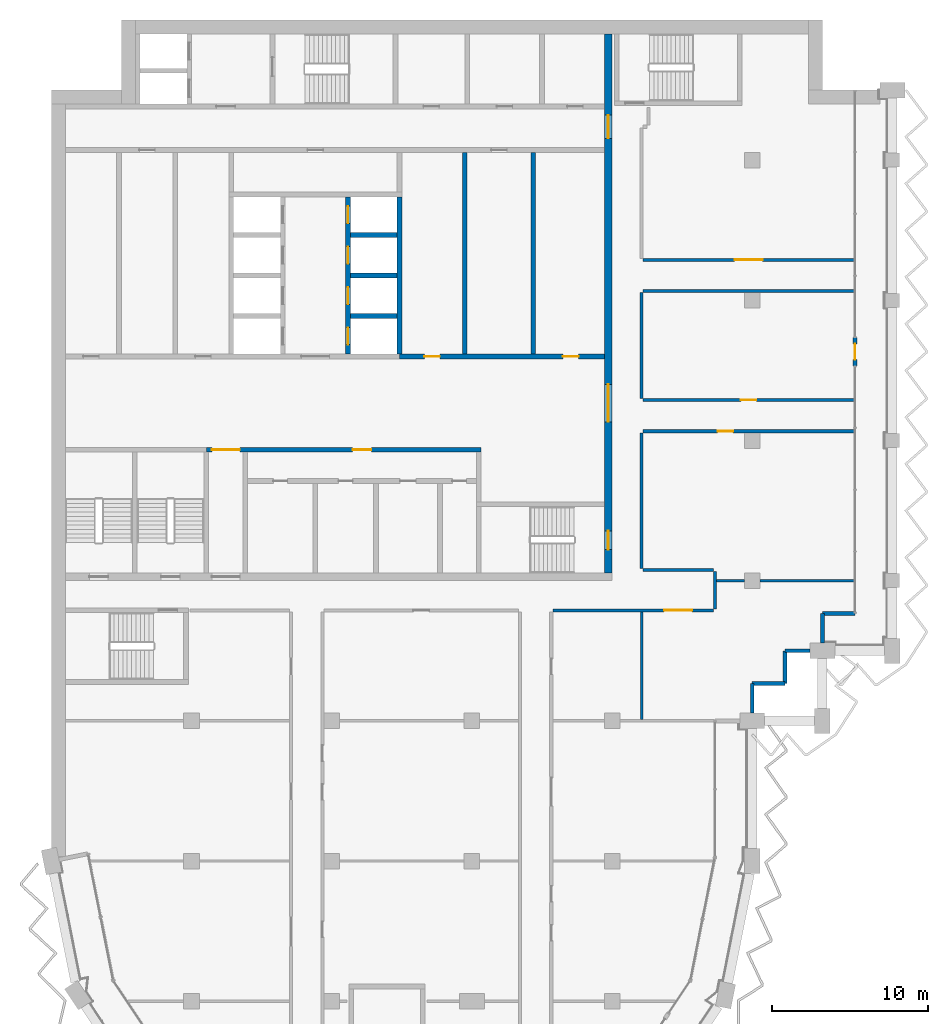
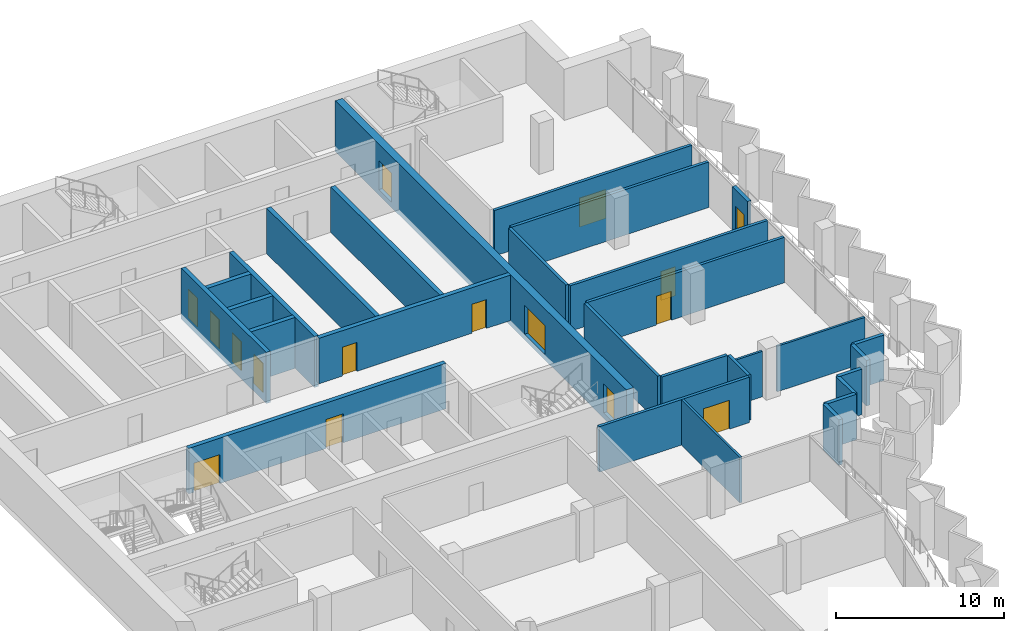
# One storey, part 9 of 16: 29 walls, 16 doors, 16 openings.
"""IFC4 building model written with IfcOpenShell, lengths in metres."""

from ifc_helpers import new_model, si_unit, direction, frame, frame_2d, origin, place, context, subcontext, project, spatial, rectangle, extrude, material, layer, layer_set, type_object, element, fill, save


model = new_model("IFC4")

# Units and contexts
model_context = context("Model", 3, precision=1e-05, world=origin(), true_north=direction((0.0, 1.0)))
body_context = subcontext(model_context, "Body", "Model", "MODEL_VIEW")
ifc_project = project(units=[si_unit("LENGTHUNIT", "METRE"), si_unit("AREAUNIT", "SQUARE_METRE"), si_unit("VOLUMEUNIT", "CUBIC_METRE"), si_unit("PLANEANGLEUNIT", "RADIAN"), si_unit("MASSUNIT", "GRAM", prefix="KILO")], contexts=[model_context])

# Site, building, storey
site_placement = place(None, origin())
site = spatial("IfcSite", under=ifc_project, at=site_placement, CompositionType="ELEMENT")
building_placement = place(site_placement, origin())
building = spatial("IfcBuilding", under=site, at=building_placement, Name="Hunhe Ridgeline Campus", CompositionType="ELEMENT")
storey_placement = place(building_placement, frame((0.0, 0.0, 246.60009765625)))
storey = spatial("IfcBuildingStorey", under=building, at=storey_placement, Name="L63", CompositionType="ELEMENT", Elevation=246.60009765625)

# Wall, openings, doors
ifc_material_1 = material(Name="Masonry concrete blockwork", Category="masonry")
ifc_layer_1 = layer(ifc_material_1, 0.300048828125)
ifc_layer_set_1 = layer_set([ifc_layer_1], Name="Core room partition 300 concrete block")
wall_type_1 = type_object("IfcWallType", Name="Core room partition 300 concrete block", PredefinedType="PARTITIONING", material=ifc_layer_set_1)
wall_1_placement = place(storey_placement, frame((9.949951171875, 71.39990234375, 0.0), z_axis=(0.0, 0.0, 1.0), x_axis=(1.0, 0.0, 0.0)))
wall_1 = element("IfcWall", 1, at=wall_1_placement, inside=storey, type_object=wall_type_1, Name="L63 core partition 9", PredefinedType="PARTITIONING", context=body_context, shape_type="SweptSolid", body=[
    extrude(rectangle(XDim=17.650146484375, YDim=0.300048828125, at=frame_2d((8.8251953125, 0.0))), origin(), (0.0, 0.0, 1.0), 3.2998046875),
])
opening_1_placement = place(wall_1_placement, frame((0.35009765625, 0.0, 0.0)))
opening_1 = element("IfcOpeningElement", 2, at=opening_1_placement, cuts=wall_1, Name="Opening CD7", PredefinedType="OPENING", context=body_context, shape_type="SweptSolid", body=[
    extrude(rectangle(XDim=1.800048828125, YDim=2.10009765625, at=frame_2d((0.89990234375, 1.050048828125))), frame((0.0, 0.14990234375, 0.0), z_axis=(0.0, -1.0, 0.0), x_axis=(1.0, 0.0, 0.0)), (0.0, 0.0, 1.0), 0.300048828125),
])
opening_2_placement = place(wall_1_placement, frame((9.39990234375, 0.0, 0.0)))
opening_2 = element("IfcOpeningElement", 3, at=opening_2_placement, cuts=wall_1, Name="Opening CD12", PredefinedType="OPENING", context=body_context, shape_type="SweptSolid", body=[
    extrude(rectangle(XDim=1.199951171875, YDim=2.10009765625, at=frame_2d((0.60009765625, 1.050048828125))), frame((0.0, 0.14990234375, 0.0), z_axis=(0.0, -1.0, 0.0), x_axis=(1.0, 0.0, 0.0)), (0.0, 0.0, 1.0), 0.300048828125),
])
ifc_material_2 = material(Name="Anodised aluminium and glass", Category="aluminium")
door_type_1 = type_object("IfcDoorType", Name="Glazed double door 1800x2100", OperationType="DOUBLE_DOOR_SINGLE_SWING", PredefinedType="DOOR", material=ifc_material_2)
door_1_placement = place(opening_1_placement, origin())
door_1 = element("IfcDoor", 4, at=door_1_placement, inside=storey, type_object=door_type_1, Name="L63 door VEST-HALL", OperationType="DOUBLE_DOOR_SINGLE_SWING", OverallHeight=2.10009765625, OverallWidth=1.800048828125, PredefinedType="DOOR", context=body_context, shape_type="SweptSolid", body=[
    extrude(rectangle(XDim=1.800048828125, YDim=2.10009765625, at=frame_2d((0.89990234375, 1.050048828125))), frame((0.0, 0.02490234375, 0.0), z_axis=(0.0, -1.0, 0.0), x_axis=(1.0, 0.0, 0.0)), (0.0, 0.0, 1.0), 0.050048828125),
])
fill(opening_1, door_1)
ifc_material_3 = material(Name="Solid core timber door leaf", Category="wood")
door_type_2 = type_object("IfcDoorType", Name="Timber door 1200x2100", OperationType="SINGLE_SWING_LEFT", PredefinedType="DOOR", material=ifc_material_3)
door_2_placement = place(opening_2_placement, origin())
door_2 = element("IfcDoor", 5, at=door_2_placement, inside=storey, type_object=door_type_2, Name="L63 door WCL2-HALL", OperationType="SINGLE_SWING_RIGHT", OverallHeight=2.10009765625, OverallWidth=1.199951171875, PredefinedType="DOOR", context=body_context, shape_type="SweptSolid", body=[
    extrude(rectangle(XDim=1.199951171875, YDim=2.10009765625, at=frame_2d((0.60009765625, 1.050048828125))), frame((0.0, 0.02490234375, 0.0), z_axis=(0.0, -1.0, 0.0), x_axis=(1.0, 0.0, 0.0)), (0.0, 0.0, 1.0), 0.050048828125),
])
fill(opening_2, door_2)

wall_2_placement = place(storey_placement, frame((22.35009765625, 77.39990234375, 0.0), z_axis=(0.0, 0.0, 1.0), x_axis=(1.0, 0.0, 0.0)))
wall_2 = element("IfcWall", 6, at=wall_2_placement, inside=storey, type_object=wall_type_1, Name="L63 core partition 11", PredefinedType="PARTITIONING", context=body_context, shape_type="SweptSolid", body=[
    extrude(rectangle(XDim=13.14990234375, YDim=0.300048828125, at=frame_2d((6.574951171875, 0.0))), origin(), (0.0, 0.0, 1.0), 3.2998046875),
])
opening_3_placement = place(wall_2_placement, frame((1.60009765625, 0.0, 0.0)))
opening_3 = element("IfcOpeningElement", 7, at=opening_3_placement, cuts=wall_2, Name="Opening CD32", PredefinedType="OPENING", context=body_context, shape_type="SweptSolid", body=[
    extrude(rectangle(XDim=1.0, YDim=2.10009765625, at=frame_2d((0.5, 1.050048828125))), frame((0.0, 0.14990234375, 0.0), z_axis=(0.0, -1.0, 0.0), x_axis=(1.0, 0.0, 0.0)), (0.0, 0.0, 1.0), 0.300048828125),
])
opening_4_placement = place(wall_2_placement, frame((10.5, 0.0, 0.0)))
opening_4 = element("IfcOpeningElement", 8, at=opening_4_placement, cuts=wall_2, Name="Opening CD42", PredefinedType="OPENING", context=body_context, shape_type="SweptSolid", body=[
    extrude(rectangle(XDim=1.0, YDim=2.10009765625, at=frame_2d((0.5, 1.050048828125))), frame((0.0, 0.14990234375, 0.0), z_axis=(0.0, -1.0, 0.0), x_axis=(1.0, 0.0, 0.0)), (0.0, 0.0, 1.0), 0.300048828125),
])
door_type_3 = type_object("IfcDoorType", Name="Timber door 1000x2100", OperationType="SINGLE_SWING_LEFT", PredefinedType="DOOR", material=ifc_material_3)
door_3_placement = place(opening_3_placement, origin())
door_3 = element("IfcDoor", 9, at=door_3_placement, inside=storey, type_object=door_type_3, Name="L63 door ES0", OperationType="SINGLE_SWING_RIGHT", OverallHeight=2.10009765625, OverallWidth=1.0, PredefinedType="DOOR", context=body_context, shape_type="SweptSolid", body=[
    extrude(rectangle(XDim=1.0, YDim=2.10009765625, at=frame_2d((0.5, 1.050048828125))), frame((0.0, 0.02490234375, 0.0), z_axis=(0.0, -1.0, 0.0), x_axis=(1.0, 0.0, 0.0)), (0.0, 0.0, 1.0), 0.050048828125),
])
fill(opening_3, door_3)
door_4_placement = place(opening_4_placement, origin())
door_4 = element("IfcDoor", 10, at=door_4_placement, inside=storey, type_object=door_type_3, Name="L63 door ES2", OperationType="SINGLE_SWING_RIGHT", OverallHeight=2.10009765625, OverallWidth=1.0, PredefinedType="DOOR", context=body_context, shape_type="SweptSolid", body=[
    extrude(rectangle(XDim=1.0, YDim=2.10009765625, at=frame_2d((0.5, 1.050048828125))), frame((0.0, 0.02490234375, 0.0), z_axis=(0.0, -1.0, 0.0), x_axis=(1.0, 0.0, 0.0)), (0.0, 0.0, 1.0), 0.050048828125),
])
fill(opening_4, door_4)

# Walls
for number, where, z_axis, x_axis, name in (
    (11, (26.550048828125, 77.550048828125, 0.0), (0.0, 0.0, 1.0), (0.0, 1.0, 0.0), "L63 core partition 44"),
    (12, (30.949951171875, 77.550048828125, 0.0), (0.0, 0.0, 1.0), (0.0, 1.0, 0.0), "L63 core partition 48"),
):
    element("IfcWall", number, at=place(storey_placement, frame(where, z_axis=z_axis, x_axis=x_axis)), inside=storey, type_object=wall_type_1, Name=name, PredefinedType="PARTITIONING", context=body_context, shape_type="SweptSolid", body=[
        extrude(rectangle(XDim=12.949951171875, YDim=0.300048828125, at=frame_2d((6.47509765625, 0.0))), origin(), (0.0, 0.0, 1.0), 3.2998046875),
    ])

# Wall, openings, doors
ifc_material_4 = material(Name="Concrete C50", Category="concrete")
ifc_layer_2 = layer(ifc_material_4, 0.5)
ifc_layer_set_2 = layer_set([ifc_layer_2], Name="Core wall 500 reinforced concrete C50")
wall_type_2 = type_object("IfcWallType", Name="Core wall 500 reinforced concrete C50", PredefinedType="SOLIDWALL", material=ifc_layer_set_2)
wall_3_placement = place(storey_placement, frame((35.75, 63.5, -0.400146484375), z_axis=(0.0, 0.0, 1.0), x_axis=(0.0, 1.0, 0.0)))
wall_3 = element("IfcWall", 13, at=wall_3_placement, inside=storey, type_object=wall_type_2, Name="L63 core wall 50", PredefinedType="SOLIDWALL", context=body_context, shape_type="SweptSolid", body=[
    extrude(rectangle(XDim=34.60009765625, YDim=0.5, at=frame_2d((17.300048828125, 0.0))), origin(), (0.0, 0.0, 1.0), 3.699951171875),
])
opening_5_placement = place(wall_3_placement, frame((9.699951171875, 0.0, 0.39990234375)))
opening_5 = element("IfcOpeningElement", 14, at=opening_5_placement, cuts=wall_3, Name="Opening CD4", PredefinedType="OPENING", context=body_context, shape_type="SweptSolid", body=[
    extrude(rectangle(XDim=2.39990234375, YDim=2.10009765625, at=frame_2d((1.199951171875, 1.050048828125))), frame((0.0, 0.25, 0.0), z_axis=(0.0, -1.0, 0.0), x_axis=(1.0, 0.0, 0.0)), (0.0, 0.0, 1.0), 0.5),
])
opening_6_placement = place(wall_3_placement, frame((27.89990234375, 0.0, 0.39990234375)))
opening_6 = element("IfcOpeningElement", 15, at=opening_6_placement, cuts=wall_3, Name="Opening CD5", PredefinedType="OPENING", context=body_context, shape_type="SweptSolid", body=[
    extrude(rectangle(XDim=1.5, YDim=2.10009765625, at=frame_2d((0.75, 1.050048828125))), frame((0.0, 0.25, 0.0), z_axis=(0.0, -1.0, 0.0), x_axis=(1.0, 0.0, 0.0)), (0.0, 0.0, 1.0), 0.5),
])
opening_7_placement = place(wall_3_placement, frame((1.5, 0.0, 0.39990234375)))
opening_7 = element("IfcOpeningElement", 16, at=opening_7_placement, cuts=wall_3, Name="Opening CD15", PredefinedType="OPENING", context=body_context, shape_type="SweptSolid", body=[
    extrude(rectangle(XDim=1.199951171875, YDim=2.10009765625, at=frame_2d((0.60009765625, 1.050048828125))), frame((0.0, 0.25, 0.0), z_axis=(0.0, -1.0, 0.0), x_axis=(1.0, 0.0, 0.0)), (0.0, 0.0, 1.0), 0.5),
])
door_type_4 = type_object("IfcDoorType", Name="Glazed double door 2400x2100", OperationType="DOUBLE_DOOR_SINGLE_SWING", PredefinedType="DOOR", material=ifc_material_2)
door_5_placement = place(opening_5_placement, frame((2.39990234375, 0.0, 0.0), z_axis=(0.0, 0.0, 1.0), x_axis=(-1.0, 0.0, 0.0)))
door_5 = element("IfcDoor", 17, at=door_5_placement, inside=storey, type_object=door_type_4, Name="L63 door HALL-FLOOR", OperationType="DOUBLE_DOOR_SINGLE_SWING", OverallHeight=2.10009765625, OverallWidth=2.39990234375, PredefinedType="DOOR", context=body_context, shape_type="SweptSolid", body=[
    extrude(rectangle(XDim=2.39990234375, YDim=2.10009765625, at=frame_2d((1.199951171875, 1.050048828125))), frame((0.0, 0.02490234375, 0.0), z_axis=(0.0, -1.0, 0.0), x_axis=(1.0, 0.0, 0.0)), (0.0, 0.0, 1.0), 0.050048828125),
])
fill(opening_5, door_5)
ifc_material_5 = material(Name="Hollow metal fire door leaf")
door_type_5 = type_object("IfcDoorType", Name="Stair door 1200x2100 FD60", OperationType="SINGLE_SWING_LEFT", PredefinedType="DOOR", material=ifc_material_5)
door_6_placement = place(opening_7_placement, frame((1.199951171875, 0.0, 0.0), z_axis=(0.0, 0.0, 1.0), x_axis=(-1.0, 0.0, 0.0)))
door_6 = element("IfcDoor", 18, at=door_6_placement, inside=storey, type_object=door_type_5, Name="L63 door S2-FLOOR", OperationType="SINGLE_SWING_LEFT", OverallHeight=2.10009765625, OverallWidth=1.199951171875, PredefinedType="DOOR", context=body_context, shape_type="SweptSolid", body=[
    extrude(rectangle(XDim=1.199951171875, YDim=2.10009765625, at=frame_2d((0.60009765625, 1.050048828125))), frame((0.0, 0.02490234375, 0.0), z_axis=(0.0, -1.0, 0.0), x_axis=(1.0, 0.0, 0.0)), (0.0, 0.0, 1.0), 0.050048828125),
])
fill(opening_7, door_6)
door_type_6 = type_object("IfcDoorType", Name="Timber door 1500x2100", OperationType="SINGLE_SWING_LEFT", PredefinedType="DOOR", material=ifc_material_3)
door_7_placement = place(opening_6_placement, frame((1.5, 0.0, 0.0), z_axis=(0.0, 0.0, 1.0), x_axis=(-1.0, 0.0, 0.0)))
door_7 = element("IfcDoor", 19, at=door_7_placement, inside=storey, type_object=door_type_6, Name="L63 door C1-FLOOR", OperationType="SINGLE_SWING_LEFT", OverallHeight=2.10009765625, OverallWidth=1.5, PredefinedType="DOOR", context=body_context, shape_type="SweptSolid", body=[
    extrude(rectangle(XDim=1.5, YDim=2.10009765625, at=frame_2d((0.75, 1.050048828125))), frame((0.0, 0.02490234375, 0.0), z_axis=(0.0, -1.0, 0.0), x_axis=(1.0, 0.0, 0.0)), (0.0, 0.0, 1.0), 0.050048828125),
])
fill(opening_6, door_7)

# Walls
ifc_material_6 = material(Name="Concrete C30", Category="concrete")
ifc_layer_3 = layer(ifc_material_6, 0.25)
ifc_layer_set_3 = layer_set([ifc_layer_3], Name="Corner return wall 250 Concrete C30")
wall_type_3 = type_object("IfcWallType", Name="Corner return wall 250 Concrete C30", PredefinedType="SOLIDWALL", material=ifc_layer_set_3)
wall_4_placement = place(storey_placement, frame((44.9990234375, 54.5, 0.0), z_axis=(0.0, 0.0, 1.0), x_axis=(0.000128452151, 0.99999999175, 0.0)))
element("IfcWall", 20, at=wall_4_placement, inside=storey, type_object=wall_type_3, Name="Corner return wall 3", PredefinedType="SOLIDWALL", context=body_context, shape_type="SweptSolid", body=[
    extrude(rectangle(XDim=1.900634765625, YDim=0.25, at=frame_2d((0.9501953125, 0.0))), origin(), (0.0, 0.0, 1.0), 3.2998046875),
])
wall_5_placement = place(storey_placement, frame((44.999267578125, 56.400634765625, 0.0), z_axis=(0.0, 0.0, 1.0), x_axis=(0.999999993241, 0.00011626555, 0.0)))
element("IfcWall", 21, at=wall_5_placement, inside=storey, type_object=wall_type_3, Name="Corner return wall 4", PredefinedType="SOLIDWALL", context=body_context, shape_type="SweptSolid", body=[
    extrude(rectangle(XDim=2.099853515625, YDim=0.25, at=frame_2d((1.0498046875, 0.0))), origin(), (0.0, 0.0, 1.0), 3.2998046875),
])
wall_6_placement = place(storey_placement, frame((47.09912109375, 56.40087890625, 0.0), z_axis=(0.0, 0.0, 1.0), x_axis=(0.000232504063, 0.999999972971, 0.0)))
element("IfcWall", 22, at=wall_6_placement, inside=storey, type_object=wall_type_3, Name="Corner return wall 5", PredefinedType="SOLIDWALL", context=body_context, shape_type="SweptSolid", body=[
    extrude(rectangle(XDim=2.10009765625, YDim=0.25, at=frame_2d((1.050048828125, 0.0))), origin(), (0.0, 0.0, 1.0), 3.2998046875),
])
wall_7_placement = place(storey_placement, frame((47.099609375, 58.5009765625, 0.0), z_axis=(0.0, 0.0, 1.0), x_axis=(1.0, 0.0, 0.0)))
element("IfcWall", 23, at=wall_7_placement, inside=storey, type_object=wall_type_3, Name="Corner return wall 6", PredefinedType="SOLIDWALL", context=body_context, shape_type="SweptSolid", body=[
    extrude(rectangle(XDim=1.600341796875, YDim=0.25, at=frame_2d((0.80029296875, 0.0))), origin(), (0.0, 0.0, 1.0), 3.2998046875),
])
wall_8_placement = place(storey_placement, frame((49.4990234375, 59.0, 0.0), z_axis=(0.0, 0.0, 1.0), x_axis=(0.000256871299, 0.999999967009, 0.0)))
element("IfcWall", 24, at=wall_8_placement, inside=storey, type_object=wall_type_3, Name="Corner return wall 7", PredefinedType="SOLIDWALL", context=body_context, shape_type="SweptSolid", body=[
    extrude(rectangle(XDim=1.90087890625, YDim=0.25, at=frame_2d((0.950439453125, 0.0))), origin(), (0.0, 0.0, 1.0), 3.2998046875),
])
wall_9_placement = place(storey_placement, frame((49.49951171875, 60.90087890625, 0.0), z_axis=(0.0, 0.0, 1.0), x_axis=(1.0, 0.0, 0.0)))
element("IfcWall", 25, at=wall_9_placement, inside=storey, type_object=wall_type_3, Name="Corner return wall 8", PredefinedType="SOLIDWALL", context=body_context, shape_type="SweptSolid", body=[
    extrude(rectangle(XDim=2.099609375, YDim=0.25, at=frame_2d((1.0498046875, 0.0))), origin(), (0.0, 0.0, 1.0), 3.2998046875),
])

# Wall, opening, door
ifc_material_7 = material(Name="Gypsum board partition")
ifc_layer_4 = layer(ifc_material_7, 0.199951171875)
ifc_layer_set_4 = layer_set([ifc_layer_4], Name="Corridor partition 200 gypsum board on steel studs")
wall_type_4 = type_object("IfcWallType", Name="Corridor partition 200 gypsum board on steel studs", PredefinedType="PARTITIONING", material=ifc_layer_set_4)
wall_10_placement = place(storey_placement, frame((42.5, 61.10009765625, 0.0), z_axis=(0.0, 0.0, 1.0), x_axis=(-1.0, 0.0, 0.0)))
wall_10 = element("IfcWall", 26, at=wall_10_placement, inside=storey, type_object=wall_type_4, Name="F-L63-wall-024", PredefinedType="PARTITIONING", context=body_context, shape_type="SweptSolid", body=[
    extrude(rectangle(XDim=10.300048828125, YDim=0.199951171875, at=frame_2d((5.14990234375, 0.0))), origin(), (0.0, 0.0, 1.0), 3.2998046875),
])
opening_8_placement = place(wall_10_placement, frame((1.361083984375, 0.0, 0.0)))
opening_8 = element("IfcOpeningElement", 27, at=opening_8_placement, cuts=wall_10, Name="Opening RD2-016", PredefinedType="OPENING", context=body_context, shape_type="SweptSolid", body=[
    extrude(rectangle(XDim=1.800048828125, YDim=2.10009765625, at=frame_2d((0.89990234375, 1.050048828125))), frame((0.0, 0.10009765625, 0.0), z_axis=(0.0, -1.0, 0.0), x_axis=(1.0, 0.0, 0.0)), (0.0, 0.0, 1.0), 0.199951171875),
])
ifc_material_8 = material(Name="Timber door leaf", Category="wood")
door_type_7 = type_object("IfcDoorType", Name="Double fire door 1800x2100 timber FD60", OperationType="DOUBLE_DOOR_SINGLE_SWING", PredefinedType="DOOR", material=ifc_material_8)
door_8_placement = place(opening_8_placement, origin())
door_8 = element("IfcDoor", 28, at=door_8_placement, inside=storey, type_object=door_type_7, Name="F-L63-door-016", OperationType="DOUBLE_DOOR_SINGLE_SWING", OverallHeight=2.10009765625, OverallWidth=1.800048828125, PredefinedType="DOOR", context=body_context, shape_type="SweptSolid", body=[
    extrude(rectangle(XDim=1.800048828125, YDim=2.10009765625, at=frame_2d((0.89990234375, 1.050048828125))), frame((0.0, 0.02490234375, 0.0), z_axis=(0.0, -1.0, 0.0), x_axis=(1.0, 0.0, 0.0)), (0.0, 0.0, 1.0), 0.050048828125),
])
fill(opening_8, door_8)

# Wall
wall_11_placement = place(storey_placement, frame((38.0, 63.699951171875, 0.0), z_axis=(0.0, 0.0, 1.0), x_axis=(1.0, 0.0, 0.0)))
element("IfcWall", 29, at=wall_11_placement, inside=storey, type_object=wall_type_4, Name="F-L63-wall-027", PredefinedType="PARTITIONING", context=body_context, shape_type="SweptSolid", body=[
    extrude(rectangle(XDim=4.5, YDim=0.199951171875, at=frame_2d((2.25, 0.0))), origin(), (0.0, 0.0, 1.0), 3.2998046875),
])

# Wall, opening, door
wall_12_placement = place(storey_placement, frame((51.544921875, 72.60009765625, 0.0), z_axis=(0.0, 0.0, 1.0), x_axis=(-1.0, 0.0, 0.0)))
wall_12 = element("IfcWall", 30, at=wall_12_placement, inside=storey, type_object=wall_type_4, Name="F-L63-wall-028", PredefinedType="PARTITIONING", context=body_context, shape_type="SweptSolid", body=[
    extrude(rectangle(XDim=13.544921875, YDim=0.199951171875, at=frame_2d((6.7724609375, 0.0))), origin(), (0.0, 0.0, 1.0), 3.2998046875),
])
opening_9_placement = place(wall_12_placement, frame((7.7724609375, 0.0, 0.0)))
opening_9 = element("IfcOpeningElement", 31, at=opening_9_placement, cuts=wall_12, Name="Opening RD1-017", PredefinedType="OPENING", context=body_context, shape_type="SweptSolid", body=[
    extrude(rectangle(XDim=1.0, YDim=2.10009765625, at=frame_2d((0.5, 1.050048828125))), frame((0.0, 0.10009765625, 0.0), z_axis=(0.0, -1.0, 0.0), x_axis=(1.0, 0.0, 0.0)), (0.0, 0.0, 1.0), 0.199951171875),
])
door_type_8 = type_object("IfcDoorType", Name="Single fire door 1000x2100 timber FD60", OperationType="NOTDEFINED", PredefinedType="DOOR", material=ifc_material_8)
door_9_placement = place(opening_9_placement, origin())
door_9 = element("IfcDoor", 32, at=door_9_placement, inside=storey, type_object=door_type_8, Name="F-L63-door-017", OperationType="SINGLE_SWING_RIGHT", OverallHeight=2.10009765625, OverallWidth=1.0, PredefinedType="DOOR", context=body_context, shape_type="SweptSolid", body=[
    extrude(rectangle(XDim=1.0, YDim=2.10009765625, at=frame_2d((0.5, 1.050048828125))), frame((0.0, 0.02490234375, 0.0), z_axis=(0.0, -1.0, 0.0), x_axis=(1.0, 0.0, 0.0)), (0.0, 0.0, 1.0), 0.050048828125),
])
fill(opening_9, door_9)

wall_13_placement = place(storey_placement, frame((38.0, 74.60009765625, 0.0), z_axis=(0.0, 0.0, 1.0), x_axis=(1.0, 0.0, 0.0)))
wall_13 = element("IfcWall", 33, at=wall_13_placement, inside=storey, type_object=wall_type_4, Name="F-L63-wall-029", PredefinedType="PARTITIONING", context=body_context, shape_type="SweptSolid", body=[
    extrude(rectangle(XDim=13.544921875, YDim=0.199951171875, at=frame_2d((6.7724609375, 0.0))), origin(), (0.0, 0.0, 1.0), 3.2998046875),
])
opening_10_placement = place(wall_13_placement, frame((6.2724609375, 0.0, 0.0)))
opening_10 = element("IfcOpeningElement", 34, at=opening_10_placement, cuts=wall_13, Name="Opening RD1-018", PredefinedType="OPENING", context=body_context, shape_type="SweptSolid", body=[
    extrude(rectangle(XDim=1.0, YDim=2.10009765625, at=frame_2d((0.5, 1.050048828125))), frame((0.0, 0.10009765625, 0.0), z_axis=(0.0, -1.0, 0.0), x_axis=(1.0, 0.0, 0.0)), (0.0, 0.0, 1.0), 0.199951171875),
])
door_10_placement = place(opening_10_placement, origin())
door_10 = element("IfcDoor", 35, at=door_10_placement, inside=storey, type_object=door_type_8, Name="F-L63-door-018", OperationType="SINGLE_SWING_RIGHT", OverallHeight=2.10009765625, OverallWidth=1.0, PredefinedType="DOOR", context=body_context, shape_type="SweptSolid", body=[
    extrude(rectangle(XDim=1.0, YDim=2.10009765625, at=frame_2d((0.5, 1.050048828125))), frame((0.0, 0.02490234375, 0.0), z_axis=(0.0, -1.0, 0.0), x_axis=(1.0, 0.0, 0.0)), (0.0, 0.0, 1.0), 0.050048828125),
])
fill(opening_10, door_10)

# Wall
wall_14_placement = place(storey_placement, frame((51.544921875, 81.60009765625, 0.0), z_axis=(0.0, 0.0, 1.0), x_axis=(-1.0, 0.0, 0.0)))
element("IfcWall", 36, at=wall_14_placement, inside=storey, type_object=wall_type_4, Name="F-L63-wall-030", PredefinedType="PARTITIONING", context=body_context, shape_type="SweptSolid", body=[
    extrude(rectangle(XDim=13.544921875, YDim=0.199951171875, at=frame_2d((6.7724609375, 0.0))), origin(), (0.0, 0.0, 1.0), 3.2998046875),
])

# Wall, opening, door
wall_15_placement = place(storey_placement, frame((38.0, 83.60009765625, 0.0), z_axis=(0.0, 0.0, 1.0), x_axis=(1.0, 0.0, 0.0)))
wall_15 = element("IfcWall", 37, at=wall_15_placement, inside=storey, type_object=wall_type_4, Name="F-L63-wall-031", PredefinedType="PARTITIONING", context=body_context, shape_type="SweptSolid", body=[
    extrude(rectangle(XDim=13.544921875, YDim=0.199951171875, at=frame_2d((6.7724609375, 0.0))), origin(), (0.0, 0.0, 1.0), 3.2998046875),
])
opening_11_placement = place(wall_15_placement, frame((5.87255859375, 0.0, 0.0)))
opening_11 = element("IfcOpeningElement", 38, at=opening_11_placement, cuts=wall_15, Name="Opening RD2-019", PredefinedType="OPENING", context=body_context, shape_type="SweptSolid", body=[
    extrude(rectangle(XDim=1.800048828125, YDim=2.10009765625, at=frame_2d((0.89990234375, 1.050048828125))), frame((0.0, 0.10009765625, 0.0), z_axis=(0.0, -1.0, 0.0), x_axis=(1.0, 0.0, 0.0)), (0.0, 0.0, 1.0), 0.199951171875),
])
door_11_placement = place(opening_11_placement, origin())
door_11 = element("IfcDoor", 39, at=door_11_placement, inside=storey, type_object=door_type_7, Name="F-L63-door-019", OperationType="DOUBLE_DOOR_SINGLE_SWING", OverallHeight=2.10009765625, OverallWidth=1.800048828125, PredefinedType="DOOR", context=body_context, shape_type="SweptSolid", body=[
    extrude(rectangle(XDim=1.800048828125, YDim=2.10009765625, at=frame_2d((0.89990234375, 1.050048828125))), frame((0.0, 0.02490234375, 0.0), z_axis=(0.0, -1.0, 0.0), x_axis=(1.0, 0.0, 0.0)), (0.0, 0.0, 1.0), 0.050048828125),
])
fill(opening_11, door_11)

# Walls
wall_16_placement = place(storey_placement, frame((37.89990234375, 72.5, 0.0), z_axis=(0.0, 0.0, 1.0), x_axis=(0.0, -1.0, 0.0)))
element("IfcWall", 40, at=wall_16_placement, inside=storey, type_object=wall_type_4, Name="F-L63-wall-039", PredefinedType="PARTITIONING", context=body_context, shape_type="SweptSolid", body=[
    extrude(rectangle(XDim=8.699951171875, YDim=0.199951171875, at=frame_2d((4.35009765625, 0.0))), origin(), (0.0, 0.0, 1.0), 3.2998046875),
])
wall_17_placement = place(storey_placement, frame((37.89990234375, 81.5, 0.0), z_axis=(0.0, 0.0, 1.0), x_axis=(0.0, -1.0, 0.0)))
element("IfcWall", 41, at=wall_17_placement, inside=storey, type_object=wall_type_4, Name="F-L63-wall-040", PredefinedType="PARTITIONING", context=body_context, shape_type="SweptSolid", body=[
    extrude(rectangle(XDim=6.800048828125, YDim=0.199951171875, at=frame_2d((3.39990234375, 0.0))), origin(), (0.0, 0.0, 1.0), 3.2998046875),
])
wall_18_placement = place(storey_placement, frame((42.60009765625, 63.60009765625, 0.0), z_axis=(0.0, 0.0, 1.0), x_axis=(0.0, -1.0, 0.0)))
element("IfcWall", 42, at=wall_18_placement, inside=storey, type_object=wall_type_4, Name="F-L63-wall-043", PredefinedType="PARTITIONING", context=body_context, shape_type="SweptSolid", body=[
    extrude(rectangle(XDim=2.400146484375, YDim=0.199951171875, at=frame_2d((1.2001953125, 0.0))), origin(), (0.0, 0.0, 1.0), 3.2998046875),
])

# Wall, opening, door
ifc_layer_5 = layer(ifc_material_6, 0.25)
ifc_layer_set_5 = layer_set([ifc_layer_5], Name="Loggia door pier wall 250 Concrete C30")
wall_type_5 = type_object("IfcWallType", Name="Loggia door pier wall 250 Concrete C30", PredefinedType="SOLIDWALL", material=ifc_layer_set_5)
wall_19_placement = place(storey_placement, frame((51.59912109375, 76.800537109375, 0.0), z_axis=(0.0, 0.0, 1.0), x_axis=(0.0, 1.0, 0.0)))
wall_19 = element("IfcWall", 43, at=wall_19_placement, inside=storey, type_object=wall_type_5, Name="Loggia door pier 3", PredefinedType="SOLIDWALL", context=body_context, shape_type="SweptSolid", body=[
    extrude(rectangle(XDim=1.800048828125, YDim=0.25, at=frame_2d((0.89990234375, 0.0))), origin(), (0.0, 0.0, 1.0), 3.2998046875),
])
opening_12_placement = place(wall_19_placement, frame((0.39990234375, 0.0, 0.0)))
opening_12 = element("IfcOpeningElement", 44, at=opening_12_placement, cuts=wall_19, Name="Opening BD506", PredefinedType="OPENING", context=body_context, shape_type="SweptSolid", body=[
    extrude(rectangle(XDim=1.0, YDim=2.10009765625, at=frame_2d((0.5, 1.050048828125))), frame((0.0, 0.125, 0.0), z_axis=(0.0, -1.0, 0.0), x_axis=(1.0, 0.0, 0.0)), (0.0, 0.0, 1.0), 0.25),
])
ifc_material_9 = material(Name="Aluminium 6063", Category="aluminium")
door_type_9 = type_object("IfcDoorType", Name="Loggia glazed door 1000x2100", OperationType="NOTDEFINED", PredefinedType="DOOR", material=ifc_material_9)
door_12_placement = place(opening_12_placement, frame((1.0, 0.0, 0.0), z_axis=(0.0, 0.0, 1.0), x_axis=(-1.0, 0.0, 0.0)))
door_12 = element("IfcDoor", 45, at=door_12_placement, inside=storey, type_object=door_type_9, Name="Loggia door BD506", OperationType="SINGLE_SWING_LEFT", OverallHeight=2.10009765625, OverallWidth=1.0, PredefinedType="DOOR", context=body_context, shape_type="SweptSolid", body=[
    extrude(rectangle(XDim=1.0, YDim=2.10009765625, at=frame_2d((0.5, 1.050048828125))), frame((0.0, 0.02490234375, 0.0), z_axis=(0.0, -1.0, 0.0), x_axis=(1.0, 0.0, 0.0)), (0.0, 0.0, 1.0), 0.050048828125),
])
fill(opening_12, door_12)

# Walls
ifc_layer_6 = layer(ifc_material_7, 0.14990234375)
ifc_layer_set_6 = layer_set([ifc_layer_6], Name="Room partition 150 gypsum board on steel studs")
wall_type_6 = type_object("IfcWallType", Name="Room partition 150 gypsum board on steel studs", PredefinedType="PARTITIONING", material=ifc_layer_set_6)
wall_20_placement = place(storey_placement, frame((42.699951171875, 63.0, 0.0), z_axis=(0.0, 0.0, 1.0), x_axis=(1.0, 0.0, 0.0)))
element("IfcWall", 46, at=wall_20_placement, inside=storey, type_object=wall_type_6, Name="F-L63-wall-025", PredefinedType="PARTITIONING", context=body_context, shape_type="SweptSolid", body=[
    extrude(rectangle(XDim=1.800048828125, YDim=0.14990234375, at=frame_2d((0.89990234375, 0.0))), origin(), (0.0, 0.0, 1.0), 3.2998046875),
])
wall_21_placement = place(storey_placement, frame((45.5, 63.0, 0.0), z_axis=(0.0, 0.0, 1.0), x_axis=(1.0, 0.0, 0.0)))
element("IfcWall", 47, at=wall_21_placement, inside=storey, type_object=wall_type_6, Name="F-L63-wall-026", PredefinedType="PARTITIONING", context=body_context, shape_type="SweptSolid", body=[
    extrude(rectangle(XDim=6.044921875, YDim=0.14990234375, at=frame_2d((3.0224609375, 0.0))), origin(), (0.0, 0.0, 1.0), 3.2998046875),
])
wall_22_placement = place(storey_placement, frame((37.89990234375, 61.0, 0.0), z_axis=(0.0, 0.0, 1.0), x_axis=(0.0, -1.0, 0.0)))
element("IfcWall", 48, at=wall_22_placement, inside=storey, type_object=wall_type_6, Name="F-L63-wall-038", PredefinedType="PARTITIONING", context=body_context, shape_type="SweptSolid", body=[
    extrude(rectangle(XDim=6.925048828125, YDim=0.14990234375, at=frame_2d((3.46240234375, 0.0))), origin(), (0.0, 0.0, 1.0), 3.2998046875),
])
ifc_layer_7 = layer(ifc_material_4, 0.300048828125)
ifc_layer_set_7 = layer_set([ifc_layer_7], Name="Shaft wall 300 reinforced concrete C50")
wall_type_7 = type_object("IfcWallType", Name="Shaft wall 300 reinforced concrete C50", PredefinedType="SOLIDWALL", material=ifc_layer_set_7)
for number, where, z_axis, x_axis, name in (
    (49, (19.199951171875, 80.0, -0.400146484375), (0.0, 0.0, 1.0), (1.0, 0.0, 0.0), "L63 core wall 13"),
    (50, (19.199951171875, 82.60009765625, -0.400146484375), (0.0, 0.0, 1.0), (1.0, 0.0, 0.0), "L63 core wall 15"),
    (51, (19.199951171875, 85.199951171875, -0.400146484375), (0.0, 0.0, 1.0), (1.0, 0.0, 0.0), "L63 core wall 17"),
):
    element("IfcWall", number, at=place(storey_placement, frame(where, z_axis=z_axis, x_axis=x_axis)), inside=storey, type_object=wall_type_7, Name=name, PredefinedType="SOLIDWALL", context=body_context, shape_type="SweptSolid", body=[
        extrude(rectangle(XDim=3.0, YDim=0.300048828125, at=frame_2d((1.5, 0.0))), origin(), (0.0, 0.0, 1.0), 3.699951171875),
    ])

# Wall, openings, doors
wall_23_placement = place(storey_placement, frame((19.050048828125, 77.550048828125, -0.400146484375), z_axis=(0.0, 0.0, 1.0), x_axis=(0.0, 1.0, 0.0)))
wall_23 = element("IfcWall", 52, at=wall_23_placement, inside=storey, type_object=wall_type_7, Name="L63 core wall 36", PredefinedType="SOLIDWALL", context=body_context, shape_type="SweptSolid", body=[
    extrude(rectangle(XDim=10.099853515625, YDim=0.300048828125, at=frame_2d((5.0498046875, 0.0))), origin(), (0.0, 0.0, 1.0), 3.699951171875),
])
opening_13_placement = place(wall_23_placement, frame((0.60009765625, 0.0, 0.39990234375)))
opening_13 = element("IfcOpeningElement", 53, at=opening_13_placement, cuts=wall_23, Name="Opening LD-HR5", PredefinedType="OPENING", context=body_context, shape_type="SweptSolid", body=[
    extrude(rectangle(XDim=1.10009765625, YDim=2.10009765625, at=frame_2d((0.550048828125, 1.050048828125))), frame((0.0, 0.14990234375, 0.0), z_axis=(0.0, -1.0, 0.0), x_axis=(1.0, 0.0, 0.0)), (0.0, 0.0, 1.0), 0.300048828125),
])
opening_14_placement = place(wall_23_placement, frame((3.199951171875, 0.0, 0.39990234375)))
opening_14 = element("IfcOpeningElement", 54, at=opening_14_placement, cuts=wall_23, Name="Opening LD-HR6", PredefinedType="OPENING", context=body_context, shape_type="SweptSolid", body=[
    extrude(rectangle(XDim=1.10009765625, YDim=2.10009765625, at=frame_2d((0.550048828125, 1.050048828125))), frame((0.0, 0.14990234375, 0.0), z_axis=(0.0, -1.0, 0.0), x_axis=(1.0, 0.0, 0.0)), (0.0, 0.0, 1.0), 0.300048828125),
])
opening_15_placement = place(wall_23_placement, frame((5.800048828125, 0.0, 0.39990234375)))
opening_15 = element("IfcOpeningElement", 55, at=opening_15_placement, cuts=wall_23, Name="Opening LD-HR7", PredefinedType="OPENING", context=body_context, shape_type="SweptSolid", body=[
    extrude(rectangle(XDim=1.10009765625, YDim=2.10009765625, at=frame_2d((0.550048828125, 1.050048828125))), frame((0.0, 0.14990234375, 0.0), z_axis=(0.0, -1.0, 0.0), x_axis=(1.0, 0.0, 0.0)), (0.0, 0.0, 1.0), 0.300048828125),
])
opening_16_placement = place(wall_23_placement, frame((8.39990234375, 0.0, 0.39990234375)))
opening_16 = element("IfcOpeningElement", 56, at=opening_16_placement, cuts=wall_23, Name="Opening LD-HR8", PredefinedType="OPENING", context=body_context, shape_type="SweptSolid", body=[
    extrude(rectangle(XDim=1.10009765625, YDim=2.10009765625, at=frame_2d((0.550048828125, 1.050048828125))), frame((0.0, 0.14990234375, 0.0), z_axis=(0.0, -1.0, 0.0), x_axis=(1.0, 0.0, 0.0)), (0.0, 0.0, 1.0), 0.300048828125),
])
ifc_material_10 = material(Name="Stainless steel sliding leaves", Category="steel")
door_type_10 = type_object("IfcDoorType", Name="Landing door 1100x2100 FD120", OperationType="SLIDING_TO_LEFT", PredefinedType="DOOR", material=ifc_material_10)
door_13_placement = place(opening_13_placement, origin())
door_13 = element("IfcDoor", 57, at=door_13_placement, inside=storey, type_object=door_type_10, Name="L63 landing door HR5", OperationType="SLIDING_TO_RIGHT", OverallHeight=2.10009765625, OverallWidth=1.10009765625, PredefinedType="DOOR", context=body_context, shape_type="SweptSolid", body=[
    extrude(rectangle(XDim=1.10009765625, YDim=2.10009765625, at=frame_2d((0.550048828125, 1.050048828125))), frame((0.0, 0.02490234375, 0.0), z_axis=(0.0, -1.0, 0.0), x_axis=(1.0, 0.0, 0.0)), (0.0, 0.0, 1.0), 0.050048828125),
])
fill(opening_13, door_13)
door_14_placement = place(opening_14_placement, origin())
door_14 = element("IfcDoor", 58, at=door_14_placement, inside=storey, type_object=door_type_10, Name="L63 landing door HR6", OperationType="SLIDING_TO_LEFT", OverallHeight=2.10009765625, OverallWidth=1.10009765625, PredefinedType="DOOR", context=body_context, shape_type="SweptSolid", body=[
    extrude(rectangle(XDim=1.10009765625, YDim=2.10009765625, at=frame_2d((0.550048828125, 1.050048828125))), frame((0.0, 0.02490234375, 0.0), z_axis=(0.0, -1.0, 0.0), x_axis=(1.0, 0.0, 0.0)), (0.0, 0.0, 1.0), 0.050048828125),
])
fill(opening_14, door_14)
door_15_placement = place(opening_15_placement, origin())
door_15 = element("IfcDoor", 59, at=door_15_placement, inside=storey, type_object=door_type_10, Name="L63 landing door HR7", OperationType="SLIDING_TO_RIGHT", OverallHeight=2.10009765625, OverallWidth=1.10009765625, PredefinedType="DOOR", context=body_context, shape_type="SweptSolid", body=[
    extrude(rectangle(XDim=1.10009765625, YDim=2.10009765625, at=frame_2d((0.550048828125, 1.050048828125))), frame((0.0, 0.02490234375, 0.0), z_axis=(0.0, -1.0, 0.0), x_axis=(1.0, 0.0, 0.0)), (0.0, 0.0, 1.0), 0.050048828125),
])
fill(opening_15, door_15)
door_16_placement = place(opening_16_placement, origin())
door_16 = element("IfcDoor", 60, at=door_16_placement, inside=storey, type_object=door_type_10, Name="L63 landing door HR8", OperationType="SLIDING_TO_LEFT", OverallHeight=2.10009765625, OverallWidth=1.10009765625, PredefinedType="DOOR", context=body_context, shape_type="SweptSolid", body=[
    extrude(rectangle(XDim=1.10009765625, YDim=2.10009765625, at=frame_2d((0.550048828125, 1.050048828125))), frame((0.0, 0.02490234375, 0.0), z_axis=(0.0, -1.0, 0.0), x_axis=(1.0, 0.0, 0.0)), (0.0, 0.0, 1.0), 0.050048828125),
])
fill(opening_16, door_16)

# Wall
wall_24_placement = place(storey_placement, frame((22.35009765625, 77.550048828125, -0.400146484375), z_axis=(0.0, 0.0, 1.0), x_axis=(0.0, 1.0, 0.0)))
element("IfcWall", 61, at=wall_24_placement, inside=storey, type_object=wall_type_7, Name="L63 core wall 40", PredefinedType="SOLIDWALL", context=body_context, shape_type="SweptSolid", body=[
    extrude(rectangle(XDim=10.099853515625, YDim=0.300048828125, at=frame_2d((5.0498046875, 0.0))), origin(), (0.0, 0.0, 1.0), 3.699951171875),
])

save(model, "model.ifc")
